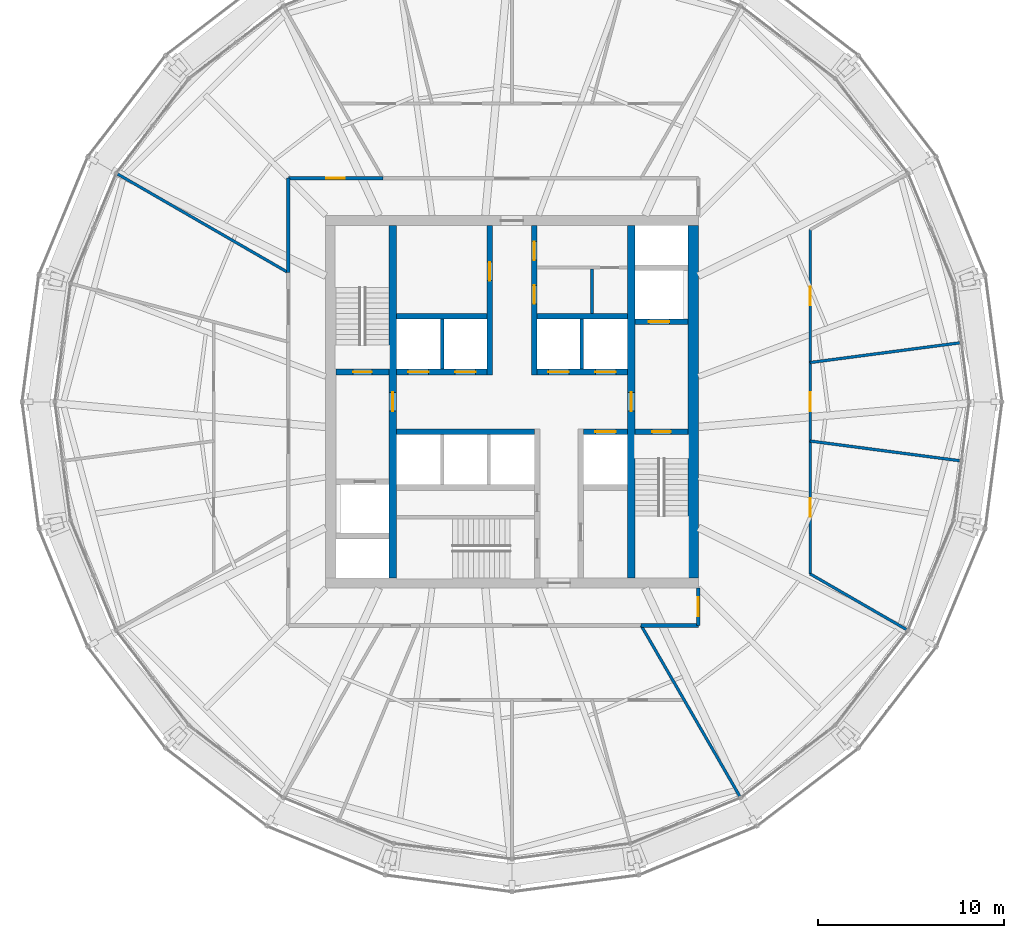
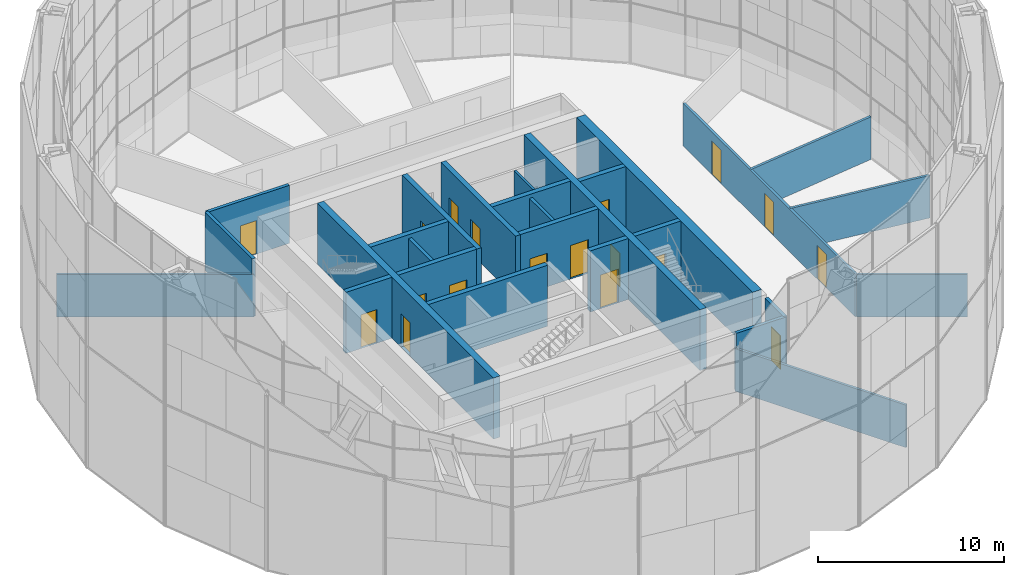
# One storey, part 27 of 29: 27 walls, 18 doors, 18 openings.
"""IFC4 building model written with IfcOpenShell, lengths in metres."""

from ifc_helpers import new_model, si_unit, direction, frame, frame_2d, origin, place, context, subcontext, project, spatial, rectangle, extrude, material, layer, layer_set, type_object, element, fill, save


model = new_model("IFC4")

# Units and contexts
model_context = context("Model", 3, precision=1e-05, world=origin(), true_north=direction((0.0, 1.0)))
body_context = subcontext(model_context, "Body", "Model", "MODEL_VIEW")
ifc_project = project(units=[si_unit("LENGTHUNIT", "METRE"), si_unit("AREAUNIT", "SQUARE_METRE"), si_unit("VOLUMEUNIT", "CUBIC_METRE"), si_unit("PLANEANGLEUNIT", "RADIAN"), si_unit("MASSUNIT", "GRAM", prefix="KILO")], contexts=[model_context])

# Site, building, storey
site_placement = place(None, origin())
site = spatial("IfcSite", under=ifc_project, at=site_placement, CompositionType="ELEMENT")
building_placement = place(site_placement, origin())
building = spatial("IfcBuilding", under=site, at=building_placement, Name="Golbaran Civic Tower", CompositionType="ELEMENT")
storey_placement = place(building_placement, frame((0.0, 0.0, 118.0)))
storey = spatial("IfcBuildingStorey", under=building, at=storey_placement, Name="L28", CompositionType="ELEMENT", Elevation=118.0)

# Wall
ifc_material_1 = material(Name="Concrete block", Category="concrete")
ifc_layer_1 = layer(ifc_material_1, 0.14990234375, Name="Concrete block")
ifc_layer_set_1 = layer_set([ifc_layer_1], Name="Concrete block")
wall_type_1 = type_object("IfcWallType", Name="BLOCKWORK PARTITION 150", PredefinedType="PARTITIONING", material=ifc_layer_set_1)
wall_1_placement = place(storey_placement, frame((4.300048828125, 4.75, 0.0), z_axis=(0.0, 0.0, 1.0), x_axis=(0.0, 1.0, 0.0)))
element("IfcWall", 1, at=wall_1_placement, inside=storey, type_object=wall_type_1, Name="Toilet block partition TN2 L28", PredefinedType="PARTITIONING", context=body_context, shape_type="SweptSolid", body=[
    extrude(rectangle(XDim=2.375, YDim=0.14990234375, at=frame_2d((1.1875, 0.0))), origin(), (0.0, 0.0, 1.0), 3.75),
])

# Wall, opening, door
ifc_material_2 = material(Name="Concrete C50/60", Category="concrete")
ifc_layer_2 = layer(ifc_material_2, 0.39990234375, Name="Concrete C50/60")
ifc_layer_set_2 = layer_set([ifc_layer_2], Name="Concrete C50/60")
wall_type_2 = type_object("IfcWallType", Name="CORE WALL CONCRETE 400", PredefinedType="SOLIDWALL", material=ifc_layer_set_2)
wall_2_placement = place(storey_placement, frame((-6.39990234375, -9.449951171875, 0.0), z_axis=(0.0, 0.0, 1.0), x_axis=(0.0, 1.0, 0.0)))
wall_2 = element("IfcWall", 2, at=wall_2_placement, inside=storey, type_object=wall_type_2, Name="Core wall IW L28", PredefinedType="SOLIDWALL", context=body_context, shape_type="SweptSolid", body=[
    extrude(rectangle(XDim=18.89990234375, YDim=0.39990234375, at=frame_2d((9.449951171875, 0.0))), origin(), (0.0, 0.0, 1.0), 4.0),
])
opening_1_placement = place(wall_2_placement, frame((8.949951171875, 0.0, 0.0)))
opening_1 = element("IfcOpeningElement", 3, at=opening_1_placement, cuts=wall_2, Name="Opening L28.FL1", PredefinedType="OPENING", context=body_context, shape_type="SweptSolid", body=[
    extrude(rectangle(XDim=1.0, YDim=2.199951171875, at=frame_2d((0.5, 1.10009765625))), frame((0.0, 0.2099609375, 0.0), z_axis=(0.0, -1.0, 0.0), x_axis=(1.0, 0.0, 0.0)), (0.0, 0.0, 1.0), 0.419921875),
])
ifc_material_3 = material(Name="Timber door set in steel frame", Category="steel")
door_type_1 = type_object("IfcDoorType", Name="STAIR DOOR 1000x2200", OperationType="SINGLE_SWING_LEFT", PredefinedType="DOOR", material=ifc_material_3)
door_1_placement = place(opening_1_placement, origin())
door_1 = element("IfcDoor", 4, at=door_1_placement, inside=storey, type_object=door_type_1, Name="Fire-fighting lobby FL1 door", OperationType="SINGLE_SWING_LEFT", OverallHeight=2.199951171875, OverallWidth=1.0, PredefinedType="DOOR", context=body_context, shape_type="SweptSolid", body=[
    extrude(rectangle(XDim=1.0, YDim=2.199951171875, at=frame_2d((0.5, 1.10009765625))), frame((0.0, 0.02490234375, 0.0), z_axis=(0.0, -1.0, 0.0), x_axis=(1.0, 0.0, 0.0)), (0.0, 0.0, 1.0), 0.050048828125),
])
fill(opening_1, door_1)

wall_3_placement = place(storey_placement, frame((6.39990234375, 9.449951171875, 0.0), z_axis=(0.0, 0.0, 1.0), x_axis=(0.0, -1.0, 0.0)))
wall_3 = element("IfcWall", 5, at=wall_3_placement, inside=storey, type_object=wall_type_2, Name="Core wall IE L28", PredefinedType="SOLIDWALL", context=body_context, shape_type="SweptSolid", body=[
    extrude(rectangle(XDim=18.89990234375, YDim=0.39990234375, at=frame_2d((9.449951171875, 0.0))), origin(), (0.0, 0.0, 1.0), 4.0),
])
opening_2_placement = place(wall_3_placement, frame((8.949951171875, 0.0, 0.0)))
opening_2 = element("IfcOpeningElement", 6, at=opening_2_placement, cuts=wall_3, Name="Opening L28.FL2", PredefinedType="OPENING", context=body_context, shape_type="SweptSolid", body=[
    extrude(rectangle(XDim=1.0, YDim=2.199951171875, at=frame_2d((0.5, 1.10009765625))), frame((0.0, 0.2099609375, 0.0), z_axis=(0.0, -1.0, 0.0), x_axis=(1.0, 0.0, 0.0)), (0.0, 0.0, 1.0), 0.419921875),
])
door_2_placement = place(opening_2_placement, origin())
door_2 = element("IfcDoor", 7, at=door_2_placement, inside=storey, type_object=door_type_1, Name="Fire-fighting lobby FL2 door", OperationType="SINGLE_SWING_RIGHT", OverallHeight=2.199951171875, OverallWidth=1.0, PredefinedType="DOOR", context=body_context, shape_type="SweptSolid", body=[
    extrude(rectangle(XDim=1.0, YDim=2.199951171875, at=frame_2d((0.5, 1.10009765625))), frame((0.0, 0.02490234375, 0.0), z_axis=(0.0, -1.0, 0.0), x_axis=(1.0, 0.0, 0.0)), (0.0, 0.0, 1.0), 0.050048828125),
])
fill(opening_2, door_2)

# Wall
ifc_layer_3 = layer(ifc_material_2, 0.550048828125, Name="Concrete C50/60")
ifc_layer_set_3 = layer_set([ifc_layer_3], Name="Concrete C50/60")
wall_type_3 = type_object("IfcWallType", Name="CORE WALL CONCRETE 550", PredefinedType="SOLIDWALL", material=ifc_layer_set_3)
wall_4_placement = place(storey_placement, frame((9.72509765625, -9.449951171875, 0.0), z_axis=(0.0, 0.0, 1.0), x_axis=(0.0, 1.0, 0.0)))
element("IfcWall", 8, at=wall_4_placement, inside=storey, type_object=wall_type_3, Name="Core wall CE L28", PredefinedType="SOLIDWALL", context=body_context, shape_type="SweptSolid", body=[
    extrude(rectangle(XDim=18.89990234375, YDim=0.550048828125, at=frame_2d((9.449951171875, 0.0))), origin(), (0.0, 0.0, 1.0), 4.0),
])

# Wall, opening, door
ifc_material_4 = material(Name="Gypsum board on steel studs, fire-rated", Category="steel")
ifc_layer_4 = layer(ifc_material_4, 0.199951171875, Name="Gypsum board on steel studs, fire-rated")
ifc_layer_set_4 = layer_set([ifc_layer_4], Name="Gypsum board on steel studs, fire-rated")
wall_type_4 = type_object("IfcWallType", Name="CORRIDOR WALL 200", PredefinedType="PARTITIONING", material=ifc_layer_set_4)
wall_5_placement = place(storey_placement, frame((-6.92822265625, 12.0, 0.0), z_axis=(0.0, 0.0, 1.0), x_axis=(-1.0, 0.0, 0.0)))
wall_5 = element("IfcWall", 9, at=wall_5_placement, inside=storey, type_object=wall_type_4, Name="Corridor wall L28", PredefinedType="PARTITIONING", context=body_context, shape_type="SweptSolid", body=[
    extrude(rectangle(XDim=5.07177734375, YDim=0.199951171875, at=frame_2d((2.535888671875, 0.0))), origin(), (0.0, 0.0, 1.0), 3.800048828125),
])
opening_3_placement = place(wall_5_placement, frame((2.035888671875, 0.0, 0.0)))
opening_3 = element("IfcOpeningElement", 10, at=opening_3_placement, cuts=wall_5, Name="Opening L28.14", PredefinedType="OPENING", context=body_context, shape_type="SweptSolid", body=[
    extrude(rectangle(XDim=1.0, YDim=2.199951171875, at=frame_2d((0.5, 1.10009765625))), frame((0.0, 0.10986328125, 0.0), z_axis=(0.0, -1.0, 0.0), x_axis=(1.0, 0.0, 0.0)), (0.0, 0.0, 1.0), 0.219970703125),
])
door_type_2 = type_object("IfcDoorType", Name="OFFICE DOOR 1000x2200", OperationType="SINGLE_SWING_LEFT", PredefinedType="DOOR", material=ifc_material_3)
door_3_placement = place(opening_3_placement, origin())
door_3 = element("IfcDoor", 11, at=door_3_placement, inside=storey, type_object=door_type_2, Name="Project Room door L28", OperationType="SINGLE_SWING_RIGHT", OverallHeight=2.199951171875, OverallWidth=1.0, PredefinedType="DOOR", context=body_context, shape_type="SweptSolid", body=[
    extrude(rectangle(XDim=1.0, YDim=2.199951171875, at=frame_2d((0.5, 1.10009765625))), frame((0.0, 0.02490234375, 0.0), z_axis=(0.0, -1.0, 0.0), x_axis=(1.0, 0.0, 0.0)), (0.0, 0.0, 1.0), 0.050048828125),
])
fill(opening_3, door_3)

# Walls
wall_6_placement = place(storey_placement, frame((-12.0, 12.0, 0.0), z_axis=(0.0, 0.0, 1.0), x_axis=(0.0, -1.0, 0.0)))
element("IfcWall", 12, at=wall_6_placement, inside=storey, type_object=wall_type_4, Name="Corridor wall L28", PredefinedType="PARTITIONING", context=body_context, shape_type="SweptSolid", body=[
    extrude(rectangle(XDim=5.07177734375, YDim=0.199951171875, at=frame_2d((2.535888671875, 0.0))), origin(), (0.0, 0.0, 1.0), 3.800048828125),
])
wall_7_placement = place(storey_placement, frame((6.92822265625, -12.0, 0.0), z_axis=(0.0, 0.0, 1.0), x_axis=(1.0, 0.0, 0.0)))
element("IfcWall", 13, at=wall_7_placement, inside=storey, type_object=wall_type_4, Name="Corridor wall L28", PredefinedType="PARTITIONING", context=body_context, shape_type="SweptSolid", body=[
    extrude(rectangle(XDim=3.07177734375, YDim=0.199951171875, at=frame_2d((1.535888671875, 0.0))), origin(), (0.0, 0.0, 1.0), 3.800048828125),
])

# Wall, opening, door
wall_8_placement = place(storey_placement, frame((10.0, -10.0, 0.0), z_axis=(0.0, 0.0, 1.0), x_axis=(0.0, -1.0, 0.0)))
wall_8 = element("IfcWall", 14, at=wall_8_placement, inside=storey, type_object=wall_type_4, Name="Corridor end wall L28", PredefinedType="PARTITIONING", context=body_context, shape_type="SweptSolid", body=[
    extrude(rectangle(XDim=2.0, YDim=0.199951171875, at=frame_2d((1.0, 0.0))), origin(), (0.0, 0.0, 1.0), 3.800048828125),
])
opening_4_placement = place(wall_8_placement, frame((0.5, 0.0, 0.0)))
opening_4 = element("IfcOpeningElement", 15, at=opening_4_placement, cuts=wall_8, Name="Opening L28.21", PredefinedType="OPENING", context=body_context, shape_type="SweptSolid", body=[
    extrude(rectangle(XDim=1.0, YDim=2.199951171875, at=frame_2d((0.5, 1.10009765625))), frame((0.0, 0.10986328125, 0.0), z_axis=(0.0, -1.0, 0.0), x_axis=(1.0, 0.0, 0.0)), (0.0, 0.0, 1.0), 0.219970703125),
])
door_4_placement = place(opening_4_placement, origin())
door_4 = element("IfcDoor", 16, at=door_4_placement, inside=storey, type_object=door_type_2, Name="Open Office door L28", OperationType="SINGLE_SWING_RIGHT", OverallHeight=2.199951171875, OverallWidth=1.0, PredefinedType="DOOR", context=body_context, shape_type="SweptSolid", body=[
    extrude(rectangle(XDim=1.0, YDim=2.199951171875, at=frame_2d((0.5, 1.10009765625))), frame((0.0, 0.02490234375, 0.0), z_axis=(0.0, -1.0, 0.0), x_axis=(1.0, 0.0, 0.0)), (0.0, 0.0, 1.0), 0.050048828125),
])
fill(opening_4, door_4)

# Walls
ifc_layer_5 = layer(ifc_material_1, 0.199951171875, Name="Concrete block")
ifc_layer_set_5 = layer_set([ifc_layer_5], Name="Concrete block")
wall_type_5 = type_object("IfcWallType", Name="LIFT SEPARATOR WALL 200", PredefinedType="SOLIDWALL", material=ifc_layer_set_5)
for number, where, z_axis, x_axis, name in (
    (17, (-3.75, 1.75, 0.0), (0.0, 0.0, 1.0), (0.0, 1.0, 0.0), "Core partition SNW L28"),
    (18, (3.75, 1.75, 0.0), (0.0, 0.0, 1.0), (0.0, 1.0, 0.0), "Core partition SNE L28"),
):
    element("IfcWall", number, at=place(storey_placement, frame(where, z_axis=z_axis, x_axis=x_axis)), inside=storey, type_object=wall_type_5, Name=name, PredefinedType="SOLIDWALL", context=body_context, shape_type="SweptSolid", body=[
        extrude(rectangle(XDim=2.699951171875, YDim=0.199951171875, at=frame_2d((1.35009765625, 0.0))), origin(), (0.0, 0.0, 1.0), 3.75),
    ])
ifc_material_5 = material(Name="Gypsum board on steel studs", Category="steel")
ifc_layer_6 = layer(ifc_material_5, 0.14990234375, Name="Gypsum board on steel studs")
ifc_layer_set_6 = layer_set([ifc_layer_6], Name="Gypsum board on steel studs")
wall_type_6 = type_object("IfcWallType", Name="OFFICE PARTITION 150", PredefinedType="PARTITIONING", material=ifc_layer_set_6)
for number, where, z_axis, x_axis, name in (
    (19, (-12.0, 6.92822265625, 0.0), (0.0, 0.0, 1.0), (-0.866023526577, 0.500003251404, 0.0), "Partition 150 L28"),
    (20, (6.92822265625, -12.0, 0.0), (0.0, 0.0, 1.0), (0.500003251404, -0.866023526577, 0.0), "Partition 300 L28"),
):
    element("IfcWall", number, at=place(storey_placement, frame(where, z_axis=z_axis, x_axis=x_axis)), inside=storey, type_object=wall_type_6, Name=name, PredefinedType="PARTITIONING", context=body_context, shape_type="SweptSolid", body=[
        extrude(rectangle(XDim=10.5869140625, YDim=0.14990234375, at=frame_2d((5.29345703125, 0.0))), origin(), (0.0, 0.0, 1.0), 2.7900390625),
    ])

# Wall, openings, doors
wall_9_placement = place(storey_placement, frame((16.0, -9.237548828125, 0.0), z_axis=(0.0, 0.0, 1.0), x_axis=(0.0, 1.0, 0.0)))
wall_9 = element("IfcWall", 21, at=wall_9_placement, inside=storey, type_object=wall_type_6, Name="Suite partition L28", PredefinedType="PARTITIONING", context=body_context, shape_type="SweptSolid", body=[
    extrude(rectangle(XDim=18.47509765625, YDim=0.14990234375, at=frame_2d((9.237548828125, 0.0))), origin(), (0.0, 0.0, 1.0), 2.7900390625),
])
opening_5_placement = place(wall_9_placement, frame((3.065673828125, 0.0, 0.0)))
opening_5 = element("IfcOpeningElement", 22, at=opening_5_placement, cuts=wall_9, Name="Opening L28.01", PredefinedType="OPENING", context=body_context, shape_type="SweptSolid", body=[
    extrude(rectangle(XDim=1.0, YDim=2.199951171875, at=frame_2d((0.5, 1.10009765625))), frame((0.0, 0.0849609375, 0.0), z_axis=(0.0, -1.0, 0.0), x_axis=(1.0, 0.0, 0.0)), (0.0, 0.0, 1.0), 0.169921875),
])
opening_6_placement = place(wall_9_placement, frame((8.737548828125, 0.0, 0.0)))
opening_6 = element("IfcOpeningElement", 23, at=opening_6_placement, cuts=wall_9, Name="Opening L28.02", PredefinedType="OPENING", context=body_context, shape_type="SweptSolid", body=[
    extrude(rectangle(XDim=1.0, YDim=2.199951171875, at=frame_2d((0.5, 1.10009765625))), frame((0.0, 0.0849609375, 0.0), z_axis=(0.0, -1.0, 0.0), x_axis=(1.0, 0.0, 0.0)), (0.0, 0.0, 1.0), 0.169921875),
])
opening_7_placement = place(wall_9_placement, frame((14.40966796875, 0.0, 0.0)))
opening_7 = element("IfcOpeningElement", 24, at=opening_7_placement, cuts=wall_9, Name="Opening L28.03", PredefinedType="OPENING", context=body_context, shape_type="SweptSolid", body=[
    extrude(rectangle(XDim=1.0, YDim=2.199951171875, at=frame_2d((0.5, 1.10009765625))), frame((0.0, 0.0849609375, 0.0), z_axis=(0.0, -1.0, 0.0), x_axis=(1.0, 0.0, 0.0)), (0.0, 0.0, 1.0), 0.169921875),
])
door_5_placement = place(opening_5_placement, origin())
door_5 = element("IfcDoor", 25, at=door_5_placement, inside=storey, type_object=door_type_2, Name="Office door L28", OperationType="SINGLE_SWING_LEFT", OverallHeight=2.199951171875, OverallWidth=1.0, PredefinedType="DOOR", context=body_context, shape_type="SweptSolid", body=[
    extrude(rectangle(XDim=1.0, YDim=2.199951171875, at=frame_2d((0.5, 1.10009765625))), frame((0.0, 0.02490234375, 0.0), z_axis=(0.0, -1.0, 0.0), x_axis=(1.0, 0.0, 0.0)), (0.0, 0.0, 1.0), 0.050048828125),
])
fill(opening_5, door_5)
door_6_placement = place(opening_6_placement, origin())
door_6 = element("IfcDoor", 26, at=door_6_placement, inside=storey, type_object=door_type_2, Name="Office door L28", OperationType="SINGLE_SWING_LEFT", OverallHeight=2.199951171875, OverallWidth=1.0, PredefinedType="DOOR", context=body_context, shape_type="SweptSolid", body=[
    extrude(rectangle(XDim=1.0, YDim=2.199951171875, at=frame_2d((0.5, 1.10009765625))), frame((0.0, 0.02490234375, 0.0), z_axis=(0.0, -1.0, 0.0), x_axis=(1.0, 0.0, 0.0)), (0.0, 0.0, 1.0), 0.050048828125),
])
fill(opening_6, door_6)
door_7_placement = place(opening_7_placement, origin())
door_7 = element("IfcDoor", 27, at=door_7_placement, inside=storey, type_object=door_type_2, Name="Office door L28", OperationType="SINGLE_SWING_RIGHT", OverallHeight=2.199951171875, OverallWidth=1.0, PredefinedType="DOOR", context=body_context, shape_type="SweptSolid", body=[
    extrude(rectangle(XDim=1.0, YDim=2.199951171875, at=frame_2d((0.5, 1.10009765625))), frame((0.0, 0.02490234375, 0.0), z_axis=(0.0, -1.0, 0.0), x_axis=(1.0, 0.0, 0.0)), (0.0, 0.0, 1.0), 0.050048828125),
])
fill(opening_7, door_7)

# Walls
wall_10_placement = place(storey_placement, frame((16.0, -9.237548828125, 0.0), z_axis=(0.0, 0.0, 1.0), x_axis=(0.866016638956, -0.50001518082, 0.0)))
element("IfcWall", 28, at=wall_10_placement, inside=storey, type_object=wall_type_6, Name="Suite side partition L28", PredefinedType="PARTITIONING", context=body_context, shape_type="SweptSolid", body=[
    extrude(rectangle(XDim=5.968017578125, YDim=0.14990234375, at=frame_2d((2.98388671875, 0.0))), origin(), (0.0, 0.0, 1.0), 2.7900390625),
])
for number, where, z_axis, x_axis, name in (
    (29, (16.0, -2.1064453125, 0.0), (0.0, 0.0, 1.0), (0.99144669858, -0.130512236494, 0.0), "Partition 352.5 L28"),
    (30, (16.0, 2.1064453125, 0.0), (0.0, 0.0, 1.0), (0.99144669858, 0.130512236494, 0.0), "Partition 7.5 L28"),
):
    element("IfcWall", number, at=place(storey_placement, frame(where, z_axis=z_axis, x_axis=x_axis)), inside=storey, type_object=wall_type_6, Name=name, PredefinedType="PARTITIONING", context=body_context, shape_type="SweptSolid", body=[
        extrude(rectangle(XDim=8.09619140625, YDim=0.14990234375, at=frame_2d((4.048095703125, 0.0))), origin(), (0.0, 0.0, 1.0), 2.7900390625),
    ])

# Wall, openings, doors
ifc_layer_7 = layer(ifc_material_2, 0.300048828125, Name="Concrete C50/60")
ifc_layer_set_7 = layer_set([ifc_layer_7], Name="Concrete C50/60")
wall_type_7 = type_object("IfcWallType", Name="SHAFT WALL CONCRETE 300", PredefinedType="SOLIDWALL", material=ifc_layer_set_7)
wall_11_placement = place(storey_placement, frame((-6.199951171875, 1.60009765625, 0.0), z_axis=(0.0, 0.0, 1.0), x_axis=(1.0, 0.0, 0.0)))
wall_11 = element("IfcWall", 31, at=wall_11_placement, inside=storey, type_object=wall_type_7, Name="Core wall FNW L28", PredefinedType="SOLIDWALL", context=body_context, shape_type="SweptSolid", body=[
    extrude(rectangle(XDim=4.849853515625, YDim=0.300048828125, at=frame_2d((2.4248046875, 0.0))), origin(), (0.0, 0.0, 1.0), 4.0),
])
opening_8_placement = place(wall_11_placement, frame((0.625, 0.0, 0.0)))
opening_8 = element("IfcOpeningElement", 32, at=opening_8_placement, cuts=wall_11, Name="Opening L28.LD-Z1M", PredefinedType="OPENING", context=body_context, shape_type="SweptSolid", body=[
    extrude(rectangle(XDim=1.10009765625, YDim=2.199951171875, at=frame_2d((0.550048828125, 1.10009765625))), frame((0.0, 0.159912109375, 0.0), z_axis=(0.0, -1.0, 0.0), x_axis=(1.0, 0.0, 0.0)), (0.0, 0.0, 1.0), 0.320068359375),
])
opening_9_placement = place(wall_11_placement, frame((3.14990234375, 0.0, 0.0)))
opening_9 = element("IfcOpeningElement", 33, at=opening_9_placement, cuts=wall_11, Name="Opening L28.LD-Z2M", PredefinedType="OPENING", context=body_context, shape_type="SweptSolid", body=[
    extrude(rectangle(XDim=1.10009765625, YDim=2.199951171875, at=frame_2d((0.550048828125, 1.10009765625))), frame((0.0, 0.159912109375, 0.0), z_axis=(0.0, -1.0, 0.0), x_axis=(1.0, 0.0, 0.0)), (0.0, 0.0, 1.0), 0.320068359375),
])
ifc_material_6 = material(Name="Stainless steel", Category="steel")
door_type_3 = type_object("IfcDoorType", Name="LIFT LANDING DOOR 1100x2200", OperationType="SLIDING_TO_LEFT", PredefinedType="DOOR", material=ifc_material_6)
door_8_placement = place(opening_8_placement, origin())
door_8 = element("IfcDoor", 34, at=door_8_placement, inside=storey, type_object=door_type_3, Name="Lift landing door Z1M", OperationType="SLIDING_TO_LEFT", OverallHeight=2.199951171875, OverallWidth=1.10009765625, PredefinedType="DOOR", context=body_context, shape_type="SweptSolid", body=[
    extrude(rectangle(XDim=1.10009765625, YDim=2.199951171875, at=frame_2d((0.550048828125, 1.10009765625))), frame((0.0, 0.02490234375, 0.0), z_axis=(0.0, -1.0, 0.0), x_axis=(1.0, 0.0, 0.0)), (0.0, 0.0, 1.0), 0.050048828125),
])
fill(opening_8, door_8)
door_9_placement = place(opening_9_placement, origin())
door_9 = element("IfcDoor", 35, at=door_9_placement, inside=storey, type_object=door_type_3, Name="Lift landing door Z2M", OperationType="SLIDING_TO_LEFT", OverallHeight=2.199951171875, OverallWidth=1.10009765625, PredefinedType="DOOR", context=body_context, shape_type="SweptSolid", body=[
    extrude(rectangle(XDim=1.10009765625, YDim=2.199951171875, at=frame_2d((0.550048828125, 1.10009765625))), frame((0.0, 0.02490234375, 0.0), z_axis=(0.0, -1.0, 0.0), x_axis=(1.0, 0.0, 0.0)), (0.0, 0.0, 1.0), 0.050048828125),
])
fill(opening_9, door_9)

wall_12_placement = place(storey_placement, frame((1.35009765625, 1.60009765625, 0.0), z_axis=(0.0, 0.0, 1.0), x_axis=(1.0, 0.0, 0.0)))
wall_12 = element("IfcWall", 36, at=wall_12_placement, inside=storey, type_object=wall_type_7, Name="Core wall FNE L28", PredefinedType="SOLIDWALL", context=body_context, shape_type="SweptSolid", body=[
    extrude(rectangle(XDim=4.849853515625, YDim=0.300048828125, at=frame_2d((2.4248046875, 0.0))), origin(), (0.0, 0.0, 1.0), 4.0),
])
opening_10_placement = place(wall_12_placement, frame((0.60009765625, 0.0, 0.0)))
opening_10 = element("IfcOpeningElement", 37, at=opening_10_placement, cuts=wall_12, Name="Opening L28.LD-Z3M", PredefinedType="OPENING", context=body_context, shape_type="SweptSolid", body=[
    extrude(rectangle(XDim=1.10009765625, YDim=2.199951171875, at=frame_2d((0.550048828125, 1.10009765625))), frame((0.0, 0.159912109375, 0.0), z_axis=(0.0, -1.0, 0.0), x_axis=(1.0, 0.0, 0.0)), (0.0, 0.0, 1.0), 0.320068359375),
])
opening_11_placement = place(wall_12_placement, frame((3.125, 0.0, 0.0)))
opening_11 = element("IfcOpeningElement", 38, at=opening_11_placement, cuts=wall_12, Name="Opening L28.LD-Z4M", PredefinedType="OPENING", context=body_context, shape_type="SweptSolid", body=[
    extrude(rectangle(XDim=1.10009765625, YDim=2.199951171875, at=frame_2d((0.550048828125, 1.10009765625))), frame((0.0, 0.159912109375, 0.0), z_axis=(0.0, -1.0, 0.0), x_axis=(1.0, 0.0, 0.0)), (0.0, 0.0, 1.0), 0.320068359375),
])
door_10_placement = place(opening_10_placement, origin())
door_10 = element("IfcDoor", 39, at=door_10_placement, inside=storey, type_object=door_type_3, Name="Lift landing door Z3M", OperationType="SLIDING_TO_LEFT", OverallHeight=2.199951171875, OverallWidth=1.10009765625, PredefinedType="DOOR", context=body_context, shape_type="SweptSolid", body=[
    extrude(rectangle(XDim=1.10009765625, YDim=2.199951171875, at=frame_2d((0.550048828125, 1.10009765625))), frame((0.0, 0.02490234375, 0.0), z_axis=(0.0, -1.0, 0.0), x_axis=(1.0, 0.0, 0.0)), (0.0, 0.0, 1.0), 0.050048828125),
])
fill(opening_10, door_10)
door_11_placement = place(opening_11_placement, origin())
door_11 = element("IfcDoor", 40, at=door_11_placement, inside=storey, type_object=door_type_3, Name="Lift landing door Z4M", OperationType="SLIDING_TO_LEFT", OverallHeight=2.199951171875, OverallWidth=1.10009765625, PredefinedType="DOOR", context=body_context, shape_type="SweptSolid", body=[
    extrude(rectangle(XDim=1.10009765625, YDim=2.199951171875, at=frame_2d((0.550048828125, 1.10009765625))), frame((0.0, 0.02490234375, 0.0), z_axis=(0.0, -1.0, 0.0), x_axis=(1.0, 0.0, 0.0)), (0.0, 0.0, 1.0), 0.050048828125),
])
fill(opening_11, door_11)

# Walls
for number, where, z_axis, x_axis, name in (
    (41, (-6.199951171875, 4.60009765625, 0.0), (0.0, 0.0, 1.0), (1.0, 0.0, 0.0), "Core wall BNW L28"),
    (42, (1.35009765625, 4.60009765625, 0.0), (0.0, 0.0, 1.0), (1.0, 0.0, 0.0), "Core wall BNE L28"),
):
    element("IfcWall", number, at=place(storey_placement, frame(where, z_axis=z_axis, x_axis=x_axis)), inside=storey, type_object=wall_type_7, Name=name, PredefinedType="SOLIDWALL", context=body_context, shape_type="SweptSolid", body=[
        extrude(rectangle(XDim=4.849853515625, YDim=0.300048828125, at=frame_2d((2.4248046875, 0.0))), origin(), (0.0, 0.0, 1.0), 4.0),
    ])

# Wall, opening, door
wall_13_placement = place(storey_placement, frame((-1.199951171875, 1.449951171875, 0.0), z_axis=(0.0, 0.0, 1.0), x_axis=(0.0, 1.0, 0.0)))
wall_13 = element("IfcWall", 43, at=wall_13_placement, inside=storey, type_object=wall_type_7, Name="Core wall PNW L28", PredefinedType="SOLIDWALL", context=body_context, shape_type="SweptSolid", body=[
    extrude(rectangle(XDim=8.0, YDim=0.300048828125, at=frame_2d((4.0, 0.0))), origin(), (0.0, 0.0, 1.0), 4.0),
])
opening_12_placement = place(wall_13_placement, frame((5.050048828125, 0.0, 0.0)))
opening_12 = element("IfcOpeningElement", 44, at=opening_12_placement, cuts=wall_13, Name="Opening L28.WCM", PredefinedType="OPENING", context=body_context, shape_type="SweptSolid", body=[
    extrude(rectangle(XDim=1.0, YDim=2.199951171875, at=frame_2d((0.5, 1.10009765625))), frame((0.0, 0.159912109375, 0.0), z_axis=(0.0, -1.0, 0.0), x_axis=(1.0, 0.0, 0.0)), (0.0, 0.0, 1.0), 0.320068359375),
])
door_type_4 = type_object("IfcDoorType", Name="TOILET DOOR 1000x2200", OperationType="SINGLE_SWING_LEFT", PredefinedType="DOOR", material=ifc_material_3)
door_12_placement = place(opening_12_placement, origin())
door_12 = element("IfcDoor", 45, at=door_12_placement, inside=storey, type_object=door_type_4, Name="North-west toilet block door", OperationType="SINGLE_SWING_RIGHT", OverallHeight=2.199951171875, OverallWidth=1.0, PredefinedType="DOOR", context=body_context, shape_type="SweptSolid", body=[
    extrude(rectangle(XDim=1.0, YDim=2.199951171875, at=frame_2d((0.5, 1.10009765625))), frame((0.0, 0.02490234375, 0.0), z_axis=(0.0, -1.0, 0.0), x_axis=(1.0, 0.0, 0.0)), (0.0, 0.0, 1.0), 0.050048828125),
])
fill(opening_12, door_12)

# Wall, openings, doors
wall_14_placement = place(storey_placement, frame((1.199951171875, 1.449951171875, 0.0), z_axis=(0.0, 0.0, 1.0), x_axis=(0.0, 1.0, 0.0)))
wall_14 = element("IfcWall", 46, at=wall_14_placement, inside=storey, type_object=wall_type_7, Name="Core wall PNE L28", PredefinedType="SOLIDWALL", context=body_context, shape_type="SweptSolid", body=[
    extrude(rectangle(XDim=8.0, YDim=0.300048828125, at=frame_2d((4.0, 0.0))), origin(), (0.0, 0.0, 1.0), 4.0),
])
opening_13_placement = place(wall_14_placement, frame((3.800048828125, 0.0, 0.0)))
opening_13 = element("IfcOpeningElement", 47, at=opening_13_placement, cuts=wall_14, Name="Opening L28.WCA", PredefinedType="OPENING", context=body_context, shape_type="SweptSolid", body=[
    extrude(rectangle(XDim=1.0, YDim=2.199951171875, at=frame_2d((0.5, 1.10009765625))), frame((0.0, 0.159912109375, 0.0), z_axis=(0.0, -1.0, 0.0), x_axis=(1.0, 0.0, 0.0)), (0.0, 0.0, 1.0), 0.320068359375),
])
opening_14_placement = place(wall_14_placement, frame((6.14990234375, 0.0, 0.0)))
opening_14 = element("IfcOpeningElement", 48, at=opening_14_placement, cuts=wall_14, Name="Opening L28.WCF", PredefinedType="OPENING", context=body_context, shape_type="SweptSolid", body=[
    extrude(rectangle(XDim=1.0, YDim=2.199951171875, at=frame_2d((0.5, 1.10009765625))), frame((0.0, 0.159912109375, 0.0), z_axis=(0.0, -1.0, 0.0), x_axis=(1.0, 0.0, 0.0)), (0.0, 0.0, 1.0), 0.320068359375),
])
door_13_placement = place(opening_13_placement, origin())
door_13 = element("IfcDoor", 49, at=door_13_placement, inside=storey, type_object=door_type_4, Name="Accessible WC door", OperationType="SINGLE_SWING_RIGHT", OverallHeight=2.199951171875, OverallWidth=1.0, PredefinedType="DOOR", context=body_context, shape_type="SweptSolid", body=[
    extrude(rectangle(XDim=1.0, YDim=2.199951171875, at=frame_2d((0.5, 1.10009765625))), frame((0.0, 0.02490234375, 0.0), z_axis=(0.0, -1.0, 0.0), x_axis=(1.0, 0.0, 0.0)), (0.0, 0.0, 1.0), 0.050048828125),
])
fill(opening_13, door_13)
door_14_placement = place(opening_14_placement, origin())
door_14 = element("IfcDoor", 50, at=door_14_placement, inside=storey, type_object=door_type_4, Name="North-east toilet block door", OperationType="SINGLE_SWING_RIGHT", OverallHeight=2.199951171875, OverallWidth=1.0, PredefinedType="DOOR", context=body_context, shape_type="SweptSolid", body=[
    extrude(rectangle(XDim=1.0, YDim=2.199951171875, at=frame_2d((0.5, 1.10009765625))), frame((0.0, 0.02490234375, 0.0), z_axis=(0.0, -1.0, 0.0), x_axis=(1.0, 0.0, 0.0)), (0.0, 0.0, 1.0), 0.050048828125),
])
fill(opening_14, door_14)

# Wall
wall_15_placement = place(storey_placement, frame((-6.199951171875, -1.60009765625, 0.0), z_axis=(0.0, 0.0, 1.0), x_axis=(1.0, 0.0, 0.0)))
element("IfcWall", 51, at=wall_15_placement, inside=storey, type_object=wall_type_7, Name="Core wall FSW L28", PredefinedType="SOLIDWALL", context=body_context, shape_type="SweptSolid", body=[
    extrude(rectangle(XDim=7.39990234375, YDim=0.300048828125, at=frame_2d((3.699951171875, 0.0))), origin(), (0.0, 0.0, 1.0), 4.0),
])

# Wall, opening, door
wall_16_placement = place(storey_placement, frame((3.85009765625, -1.60009765625, 0.0), z_axis=(0.0, 0.0, 1.0), x_axis=(1.0, 0.0, 0.0)))
wall_16 = element("IfcWall", 52, at=wall_16_placement, inside=storey, type_object=wall_type_7, Name="Core wall FSE L28", PredefinedType="SOLIDWALL", context=body_context, shape_type="SweptSolid", body=[
    extrude(rectangle(XDim=2.349853515625, YDim=0.300048828125, at=frame_2d((1.1748046875, 0.0))), origin(), (0.0, 0.0, 1.0), 4.0),
])
opening_15_placement = place(wall_16_placement, frame((0.625, 0.0, 0.0)))
opening_15 = element("IfcOpeningElement", 53, at=opening_15_placement, cuts=wall_16, Name="Opening L28.LD-V1", PredefinedType="OPENING", context=body_context, shape_type="SweptSolid", body=[
    extrude(rectangle(XDim=1.10009765625, YDim=2.199951171875, at=frame_2d((0.550048828125, 1.10009765625))), frame((0.0, 0.159912109375, 0.0), z_axis=(0.0, -1.0, 0.0), x_axis=(1.0, 0.0, 0.0)), (0.0, 0.0, 1.0), 0.320068359375),
])
door_15_placement = place(opening_15_placement, origin())
door_15 = element("IfcDoor", 54, at=door_15_placement, inside=storey, type_object=door_type_3, Name="Lift landing door V1", OperationType="SLIDING_TO_LEFT", OverallHeight=2.199951171875, OverallWidth=1.10009765625, PredefinedType="DOOR", context=body_context, shape_type="SweptSolid", body=[
    extrude(rectangle(XDim=1.10009765625, YDim=2.199951171875, at=frame_2d((0.550048828125, 1.10009765625))), frame((0.0, 0.02490234375, 0.0), z_axis=(0.0, -1.0, 0.0), x_axis=(1.0, 0.0, 0.0)), (0.0, 0.0, 1.0), 0.050048828125),
])
fill(opening_15, door_15)

wall_17_placement = place(storey_placement, frame((-9.449951171875, 1.60009765625, 0.0), z_axis=(0.0, 0.0, 1.0), x_axis=(1.0, 0.0, 0.0)))
wall_17 = element("IfcWall", 55, at=wall_17_placement, inside=storey, type_object=wall_type_7, Name="Core wall XW1 L28", PredefinedType="SOLIDWALL", context=body_context, shape_type="SweptSolid", body=[
    extrude(rectangle(XDim=2.849853515625, YDim=0.300048828125, at=frame_2d((1.4248046875, 0.0))), origin(), (0.0, 0.0, 1.0), 4.0),
])
opening_16_placement = place(wall_17_placement, frame((0.925048828125, 0.0, 0.0)))
opening_16 = element("IfcOpeningElement", 56, at=opening_16_placement, cuts=wall_17, Name="Opening L28.S1", PredefinedType="OPENING", context=body_context, shape_type="SweptSolid", body=[
    extrude(rectangle(XDim=1.0, YDim=2.199951171875, at=frame_2d((0.5, 1.10009765625))), frame((0.0, 0.159912109375, 0.0), z_axis=(0.0, -1.0, 0.0), x_axis=(1.0, 0.0, 0.0)), (0.0, 0.0, 1.0), 0.320068359375),
])
door_16_placement = place(opening_16_placement, origin())
door_16 = element("IfcDoor", 57, at=door_16_placement, inside=storey, type_object=door_type_1, Name="Stair S1 door", OperationType="SINGLE_SWING_LEFT", OverallHeight=2.199951171875, OverallWidth=1.0, PredefinedType="DOOR", context=body_context, shape_type="SweptSolid", body=[
    extrude(rectangle(XDim=1.0, YDim=2.199951171875, at=frame_2d((0.5, 1.10009765625))), frame((0.0, 0.02490234375, 0.0), z_axis=(0.0, -1.0, 0.0), x_axis=(1.0, 0.0, 0.0)), (0.0, 0.0, 1.0), 0.050048828125),
])
fill(opening_16, door_16)

wall_18_placement = place(storey_placement, frame((6.60009765625, -1.60009765625, 0.0), z_axis=(0.0, 0.0, 1.0), x_axis=(1.0, 0.0, 0.0)))
wall_18 = element("IfcWall", 58, at=wall_18_placement, inside=storey, type_object=wall_type_7, Name="Core wall XE1 L28", PredefinedType="SOLIDWALL", context=body_context, shape_type="SweptSolid", body=[
    extrude(rectangle(XDim=2.849853515625, YDim=0.300048828125, at=frame_2d((1.4248046875, 0.0))), origin(), (0.0, 0.0, 1.0), 4.0),
])
opening_17_placement = place(wall_18_placement, frame((0.925048828125, 0.0, 0.0)))
opening_17 = element("IfcOpeningElement", 59, at=opening_17_placement, cuts=wall_18, Name="Opening L28.S2", PredefinedType="OPENING", context=body_context, shape_type="SweptSolid", body=[
    extrude(rectangle(XDim=1.0, YDim=2.199951171875, at=frame_2d((0.5, 1.10009765625))), frame((0.0, 0.159912109375, 0.0), z_axis=(0.0, -1.0, 0.0), x_axis=(1.0, 0.0, 0.0)), (0.0, 0.0, 1.0), 0.320068359375),
])
door_17_placement = place(opening_17_placement, origin())
door_17 = element("IfcDoor", 60, at=door_17_placement, inside=storey, type_object=door_type_1, Name="Stair S2 door", OperationType="SINGLE_SWING_LEFT", OverallHeight=2.199951171875, OverallWidth=1.0, PredefinedType="DOOR", context=body_context, shape_type="SweptSolid", body=[
    extrude(rectangle(XDim=1.0, YDim=2.199951171875, at=frame_2d((0.5, 1.10009765625))), frame((0.0, 0.02490234375, 0.0), z_axis=(0.0, -1.0, 0.0), x_axis=(1.0, 0.0, 0.0)), (0.0, 0.0, 1.0), 0.050048828125),
])
fill(opening_17, door_17)

wall_19_placement = place(storey_placement, frame((6.60009765625, 4.300048828125, 0.0), z_axis=(0.0, 0.0, 1.0), x_axis=(1.0, 0.0, 0.0)))
wall_19 = element("IfcWall", 61, at=wall_19_placement, inside=storey, type_object=wall_type_7, Name="Core wall XE2 L28", PredefinedType="SOLIDWALL", context=body_context, shape_type="SweptSolid", body=[
    extrude(rectangle(XDim=2.849853515625, YDim=0.300048828125, at=frame_2d((1.4248046875, 0.0))), origin(), (0.0, 0.0, 1.0), 4.0),
])
opening_18_placement = place(wall_19_placement, frame((0.75, 0.0, 0.0)))
opening_18 = element("IfcOpeningElement", 62, at=opening_18_placement, cuts=wall_19, Name="Opening L28.LD-F2", PredefinedType="OPENING", context=body_context, shape_type="SweptSolid", body=[
    extrude(rectangle(XDim=1.10009765625, YDim=2.199951171875, at=frame_2d((0.550048828125, 1.10009765625))), frame((0.0, 0.159912109375, 0.0), z_axis=(0.0, -1.0, 0.0), x_axis=(1.0, 0.0, 0.0)), (0.0, 0.0, 1.0), 0.320068359375),
])
door_18_placement = place(opening_18_placement, origin())
door_18 = element("IfcDoor", 63, at=door_18_placement, inside=storey, type_object=door_type_3, Name="Lift landing door F2", OperationType="SLIDING_TO_LEFT", OverallHeight=2.199951171875, OverallWidth=1.10009765625, PredefinedType="DOOR", context=body_context, shape_type="SweptSolid", body=[
    extrude(rectangle(XDim=1.10009765625, YDim=2.199951171875, at=frame_2d((0.550048828125, 1.10009765625))), frame((0.0, 0.02490234375, 0.0), z_axis=(0.0, -1.0, 0.0), x_axis=(1.0, 0.0, 0.0)), (0.0, 0.0, 1.0), 0.050048828125),
])
fill(opening_18, door_18)

save(model, "model.ifc")
